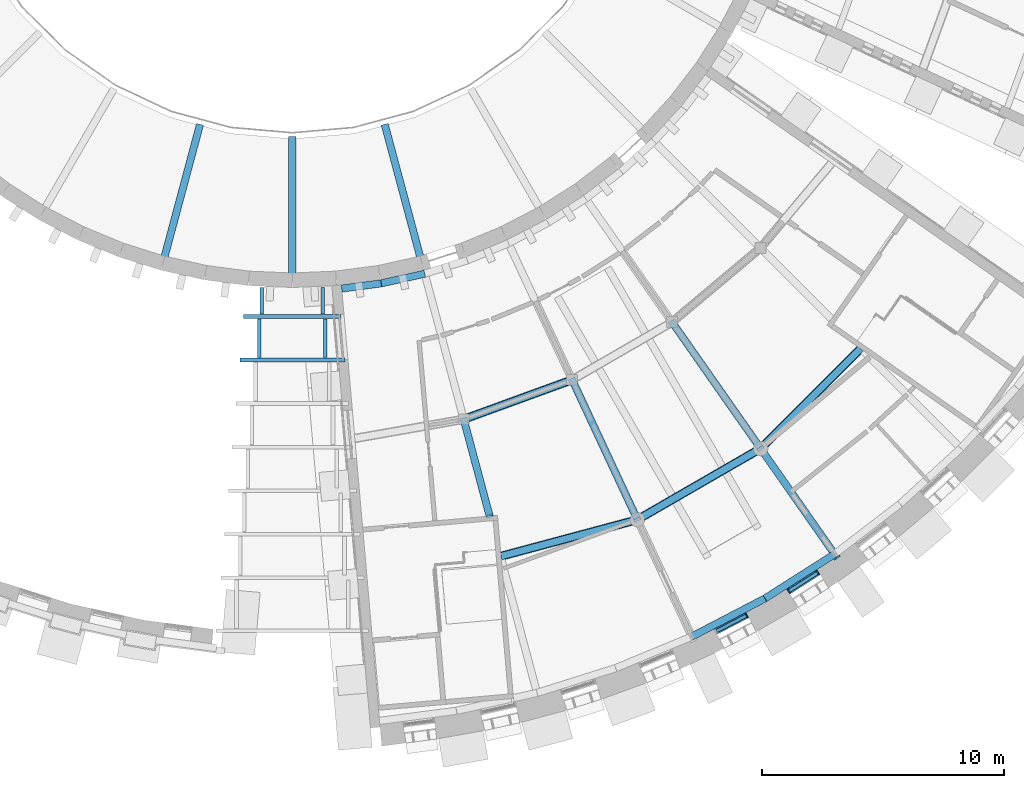
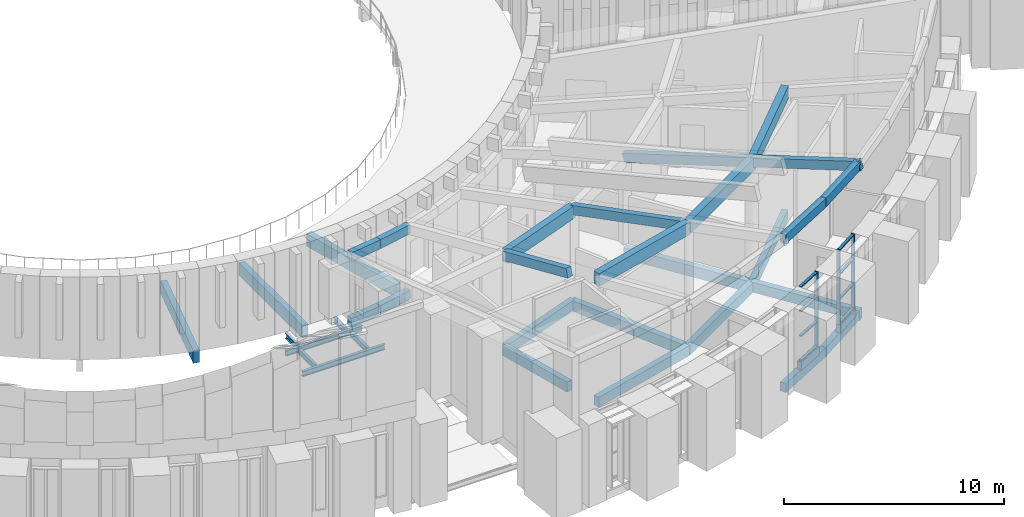
# One storey, part 3 of 50: 35 beams, 11 members, 2 elements without a shape of their own.
"""IFC4 building model written with IfcOpenShell, lengths in metres."""

from ifc_helpers import new_model, si_unit, direction, frame, origin, origin_2d, place, context, subcontext, project, spatial, rectangle, i_section, extrude, material, layer, layer_set, material_profile, profile_set, type_object, element, aggregate, save


model = new_model("IFC4")

# Units and contexts
model_context = context("Model", 3, precision=1e-05, world=origin(), true_north=direction((0.0, 1.0)))
body_context = subcontext(model_context, "Body", "Model", "MODEL_VIEW")
ifc_project = project(units=[si_unit("LENGTHUNIT", "METRE"), si_unit("AREAUNIT", "SQUARE_METRE"), si_unit("VOLUMEUNIT", "CUBIC_METRE"), si_unit("PLANEANGLEUNIT", "RADIAN"), si_unit("MASSUNIT", "GRAM", prefix="KILO")], contexts=[model_context])

# Site, building, storey
site_placement = place(None, origin())
site = spatial("IfcSite", under=ifc_project, at=site_placement, CompositionType="ELEMENT")
building_placement = place(site_placement, origin())
building = spatial("IfcBuilding", under=site, at=building_placement, Name="Volute Hill Aquarium", CompositionType="ELEMENT")
storey_placement = place(building_placement, frame((0.0, 0.0, 9.199951171875)))
storey = spatial("IfcBuildingStorey", under=building, at=storey_placement, Name="L03", CompositionType="ELEMENT", Elevation=9.199951171875)

# Beams
ifc_material_1 = material(Name="Concrete C35/45", Category="concrete")
ifc_material_profile_1 = material_profile(ifc_material_1, rectangle(XDim=0.300048828125, YDim=0.550048828125, at=origin_2d()), Name="RC beam 300x550")
ifc_profile_set_1 = profile_set([ifc_material_profile_1], Name="Concrete C35/45")
beam_type_1 = type_object("IfcBeamType", Name="Beam 300x550 C35/45", PredefinedType="BEAM", material=ifc_profile_set_1)
beam_1_placement = place(storey_placement, frame((7.08740234375, -26.4501953125, -0.544921875), z_axis=(0.258824393831, -0.965924393086, 0.0), x_axis=(0.965924393086, 0.258824393831, 0.0)))
element("IfcBeam", 1, at=beam_1_placement, inside=storey, type_object=beam_type_1, Name="bm/S3/L03/rad1.2", PredefinedType="BEAM", context=body_context, shape_type="SweptSolid", body=[
    extrude(rectangle(XDim=0.300048828125, YDim=0.550048828125, at=origin_2d()), origin(), (0.0, 0.0, 1.0), 4.145751953125),
])
beam_2_placement = place(storey_placement, frame((19.367919921875, -27.66015625, -0.544921875), z_axis=(0.573584859356, -0.819146146373, 0.0), x_axis=(0.819146146373, 0.573584859356, 0.0)))
element("IfcBeam", 2, at=beam_2_placement, inside=storey, type_object=beam_type_1, Name="bm/S3/L03/rad3.9", PredefinedType="BEAM", context=body_context, shape_type="SweptSolid", body=[
    extrude(rectangle(XDim=0.300048828125, YDim=0.550048828125, at=origin_2d()), origin(), (0.0, 0.0, 1.0), 5.483154296875),
])
beam_3_placement = place(storey_placement, frame((7.08740234375, -26.4501953125, -0.544921875), z_axis=(0.93969033816, 0.342026414722, 0.0), x_axis=(-0.342026414722, 0.93969033816, 0.0)))
element("IfcBeam", 3, at=beam_3_placement, inside=storey, type_object=beam_type_1, Name="bm/S3/L03/ring1.14", PredefinedType="BEAM", context=body_context, shape_type="SweptSolid", body=[
    extrude(rectangle(XDim=0.300048828125, YDim=0.550048828125, at=origin_2d()), origin(), (0.0, 0.0, 1.0), 4.773193359375),
])
beam_4_placement = place(storey_placement, frame((8.631591796875, -32.114013671875, -0.544921875), z_axis=(0.965923970462, 0.258825971043, 0.0), x_axis=(-0.258825971043, 0.965923970462, 0.0)))
element("IfcBeam", 4, at=beam_4_placement, inside=storey, type_object=beam_type_1, Name="bm/S3/L03/ring2.18", PredefinedType="BEAM", context=body_context, shape_type="SweptSolid", body=[
    extrude(rectangle(XDim=0.300048828125, YDim=0.550048828125, at=origin_2d()), origin(), (0.0, 0.0, 1.0), 5.837890625),
])
beam_5_placement = place(storey_placement, frame((14.2705078125, -30.60302734375, -0.544921875), z_axis=(0.866034317068, 0.499984561422, 0.0), x_axis=(-0.499984561422, 0.866034317068, 0.0)))
element("IfcBeam", 5, at=beam_5_placement, inside=storey, type_object=beam_type_1, Name="bm/S3/L03/ring2.19", PredefinedType="BEAM", context=body_context, shape_type="SweptSolid", body=[
    extrude(rectangle(XDim=0.300048828125, YDim=0.550048828125, at=origin_2d()), origin(), (0.0, 0.0, 1.0), 5.885986328125),
])
beam_6_placement = place(storey_placement, frame((19.367919921875, -27.66015625, -0.544921875), z_axis=(0.707085869838, 0.707127691916, 0.0), x_axis=(-0.707127691916, 0.707085869838, 0.0)))
element("IfcBeam", 6, at=beam_6_placement, inside=storey, type_object=beam_type_1, Name="bm/S3/L03/ring2.20", PredefinedType="BEAM", context=body_context, shape_type="SweptSolid", body=[
    extrude(rectangle(XDim=0.300048828125, YDim=0.550048828125, at=origin_2d()), origin(), (0.0, 0.0, 1.0), 5.837646484375),
])
ifc_material_2 = material(Name="Concrete C35/45", Category="concrete")
ifc_material_profile_2 = material_profile(ifc_material_2, rectangle(XDim=0.300048828125, YDim=0.60009765625, at=origin_2d()), Name="RC beam 300x600")
ifc_profile_set_2 = profile_set([ifc_material_profile_2], Name="Concrete C35/45")
beam_type_2 = type_object("IfcBeamType", Name="Beam 300x600 C35/45", PredefinedType="BEAM", material=ifc_profile_set_2)
for number, where, z_axis, x_axis, name in (
    (7, (11.57275390625, -24.817626953125, -0.570068359375), (0.422615353503, -0.906309143164, 0.0), (0.906309143164, 0.422615353503, 0.0), "bm/S3/L03/rad2.5"),
    (8, (15.706298828125, -22.43115234375, -0.570068359375), (0.573600942784, -0.819134884154, 0.0), (0.819134884154, 0.573600942784, 0.0), "bm/S3/L03/rad3.8"),
):
    element("IfcBeam", number, at=place(storey_placement, frame(where, z_axis=z_axis, x_axis=x_axis)), inside=storey, type_object=beam_type_2, Name=name, PredefinedType="BEAM", context=body_context, shape_type="SweptSolid", body=[
        extrude(rectangle(XDim=0.300048828125, YDim=0.60009765625, at=origin_2d()), origin(), (0.0, 0.0, 1.0), 6.383544921875),
    ])
ifc_material_3 = material(Name="Concrete C35/45", Category="concrete")
ifc_material_profile_3 = material_profile(ifc_material_3, rectangle(XDim=0.35009765625, YDim=0.699951171875, at=origin_2d()), Name="RC beam 350x700")
ifc_profile_set_3 = profile_set([ifc_material_profile_3], Name="Concrete C35/45")
beam_type_3 = type_object("IfcBeamType", Name="Beam 350x700 C35/45", PredefinedType="BEAM", material=ifc_profile_set_3)
beam_7_placement = place(storey_placement, frame((7.08740234375, -26.4501953125, 4.6328125), z_axis=(0.93969033816, 0.342026414722, 0.0), x_axis=(-0.342026414722, 0.93969033816, 0.0)))
element("IfcBeam", 9, at=beam_7_placement, inside=storey, type_object=beam_type_3, Name="rb/S3/L03/ring1.14", PredefinedType="BEAM", context=body_context, shape_type="SweptSolid", body=[
    extrude(rectangle(XDim=0.35009765625, YDim=0.699951171875, at=origin_2d()), origin(), (0.0, 0.0, 1.0), 4.773193359375),
])
beam_8_placement = place(storey_placement, frame((8.631591796875, -32.114013671875, 6.27392578125), z_axis=(0.965923970462, 0.258825971043, 0.0), x_axis=(-0.258825971043, 0.965923970462, 0.0)))
element("IfcBeam", 10, at=beam_8_placement, inside=storey, type_object=beam_type_3, Name="rb/S3/L03/ring2.18", PredefinedType="BEAM", context=body_context, shape_type="SweptSolid", body=[
    extrude(rectangle(XDim=0.35009765625, YDim=0.699951171875, at=origin_2d()), origin(), (0.0, 0.0, 1.0), 5.837890625),
])
beam_9_placement = place(storey_placement, frame((14.2705078125, -30.60302734375, 6.27392578125), z_axis=(0.866034317068, 0.499984561422, 0.0), x_axis=(-0.499984561422, 0.866034317068, 0.0)))
element("IfcBeam", 11, at=beam_9_placement, inside=storey, type_object=beam_type_3, Name="rb/S3/L03/ring2.19", PredefinedType="BEAM", context=body_context, shape_type="SweptSolid", body=[
    extrude(rectangle(XDim=0.35009765625, YDim=0.699951171875, at=origin_2d()), origin(), (0.0, 0.0, 1.0), 5.885986328125),
])
beam_10_placement = place(storey_placement, frame((19.367919921875, -27.66015625, 6.27392578125), z_axis=(0.707085869838, 0.707127691916, 0.0), x_axis=(-0.707127691916, 0.707085869838, 0.0)))
element("IfcBeam", 12, at=beam_10_placement, inside=storey, type_object=beam_type_3, Name="rb/S3/L03/ring2.20", PredefinedType="BEAM", context=body_context, shape_type="SweptSolid", body=[
    extrude(rectangle(XDim=0.35009765625, YDim=0.699951171875, at=origin_2d()), origin(), (0.0, 0.0, 1.0), 5.837646484375),
])

# Curtain wall, member
ifc_material_4 = material(Name="Aluminium", Category="aluminium")
ifc_layer = layer(ifc_material_4, 0.25)
ifc_layer_set = layer_set([ifc_layer], Name="Curtain wall niche S3 module 1489")
curtain_wall_type = type_object("IfcCurtainWallType", Name="Curtain wall niche S3 module 1489", PredefinedType="NOTDEFINED", material=ifc_layer_set)
curtain_wall_1_placement = place(storey_placement, origin())
curtain_wall_1 = element("IfcCurtainWall", 13, at=curtain_wall_1_placement, inside=storey, type_object=curtain_wall_type, Name="Curtain wall CW S3 L03 5", PredefinedType="NOTDEFINED")
ifc_material_5 = material(Name="Aluminium", Category="aluminium")
ifc_material_profile_4 = material_profile(ifc_material_5, rectangle(XDim=0.179931640625, YDim=0.06005859375, at=origin_2d()), Name="Curtain wall mullion S3 60x180")
ifc_profile_set_4 = profile_set([ifc_material_profile_4], Name="Aluminium")
member_type_1 = type_object("IfcMemberType", Name="Curtain wall mullion S3 60x180", PredefinedType="MULLION", material=ifc_profile_set_4)
member_1_placement = place(storey_placement, frame((18.797607421875, -34.5625, 0.449951171875), z_axis=(0.0, 0.0, 1.0), x_axis=(-0.461744254001, 0.887013102438, 0.0)))
member_1 = element("IfcMember", 14, at=member_1_placement, type_object=member_type_1, Name="CW mullion 2", PredefinedType="MULLION", context=body_context, shape_type="SweptSolid", body=[
    extrude(rectangle(XDim=0.179931640625, YDim=0.06005859375, at=origin_2d()), origin(), (0.0, 0.0, 1.0), 4.150146484375),
])

# Curtain wall, members
curtain_wall_2_placement = place(storey_placement, origin())
curtain_wall_2 = element("IfcCurtainWall", 15, at=curtain_wall_2_placement, inside=storey, type_object=curtain_wall_type, Name="Curtain wall CW S3 L03 6", PredefinedType="NOTDEFINED")
member_2_placement = place(storey_placement, frame((20.533203125, -33.560546875, 0.449951171875), z_axis=(0.0, 0.0, 1.0), x_axis=(-0.53730730935, 0.843386539683, 0.0)))
member_2 = element("IfcMember", 16, at=member_2_placement, type_object=member_type_1, Name="CW mullion 1", PredefinedType="MULLION", context=body_context, shape_type="SweptSolid", body=[
    extrude(rectangle(XDim=0.179931640625, YDim=0.06005859375, at=origin_2d()), origin(), (0.0, 0.0, 1.0), 4.150146484375),
])
member_3_placement = place(storey_placement, frame((21.738525390625, -32.792724609375, 0.449951171875), z_axis=(0.0, 0.0, 1.0), x_axis=(-0.53730730935, 0.843386539683, 0.0)))
member_3 = element("IfcMember", 17, at=member_3_placement, type_object=member_type_1, Name="CW mullion 2", PredefinedType="MULLION", context=body_context, shape_type="SweptSolid", body=[
    extrude(rectangle(XDim=0.179931640625, YDim=0.06005859375, at=origin_2d()), origin(), (0.0, 0.0, 1.0), 4.150146484375),
])

# Member
ifc_material_6 = material(Name="Aluminium", Category="aluminium")
ifc_material_profile_5 = material_profile(ifc_material_6, rectangle(XDim=0.139892578125, YDim=0.06005859375, at=origin_2d()), Name="Curtain wall transom S3 60x140")
ifc_profile_set_5 = profile_set([ifc_material_profile_5], Name="Aluminium")
member_type_2 = type_object("IfcMemberType", Name="Curtain wall transom S3 60x140", PredefinedType="USERDEFINED", material=ifc_profile_set_5)
member_4_placement = place(storey_placement, frame((17.556640625, -35.208740234375, 0.47998046875), z_axis=(0.886959740266, 0.46184674855, 0.0), x_axis=(-0.46184674855, 0.886959740266, 0.0)))
member_4 = element("IfcMember", 18, at=member_4_placement, type_object=member_type_2, Name="CW transom 1.1", ObjectType="TRANSOM", PredefinedType="USERDEFINED", context=body_context, shape_type="SweptSolid", body=[
    extrude(rectangle(XDim=0.139892578125, YDim=0.06005859375, at=origin_2d()), origin(), (0.0, 0.0, 1.0), 1.369140625),
])

member_5_placement = place(storey_placement, frame((17.556640625, -35.208740234375, 1.83349609375), z_axis=(0.886959740266, 0.46184674855, 0.0), x_axis=(-0.46184674855, 0.886959740266, 0.0)))
member_5 = element("IfcMember", 19, at=member_5_placement, type_object=member_type_2, Name="CW transom 1.2", ObjectType="TRANSOM", PredefinedType="USERDEFINED", context=body_context, shape_type="SweptSolid", body=[
    extrude(rectangle(XDim=0.139892578125, YDim=0.06005859375, at=origin_2d()), origin(), (0.0, 0.0, 1.0), 1.369140625),
])

member_6_placement = place(storey_placement, frame((17.556640625, -35.208740234375, 3.216796875), z_axis=(0.886959740266, 0.46184674855, 0.0), x_axis=(-0.46184674855, 0.886959740266, 0.0)))
member_6 = element("IfcMember", 20, at=member_6_placement, type_object=member_type_2, Name="CW transom 1.3", ObjectType="TRANSOM", PredefinedType="USERDEFINED", context=body_context, shape_type="SweptSolid", body=[
    extrude(rectangle(XDim=0.139892578125, YDim=0.06005859375, at=origin_2d()), origin(), (0.0, 0.0, 1.0), 1.369140625),
])

member_7_placement = place(storey_placement, frame((17.556640625, -35.208740234375, 4.570068359375), z_axis=(0.886959740266, 0.46184674855, 0.0), x_axis=(-0.46184674855, 0.886959740266, 0.0)))
member_7 = element("IfcMember", 21, at=member_7_placement, type_object=member_type_2, Name="CW transom 1.4", ObjectType="TRANSOM", PredefinedType="USERDEFINED", context=body_context, shape_type="SweptSolid", body=[
    extrude(rectangle(XDim=0.139892578125, YDim=0.06005859375, at=origin_2d()), origin(), (0.0, 0.0, 1.0), 1.369140625),
])

aggregate(curtain_wall_1, [member_1, member_4, member_5, member_6, member_7])

member_8_placement = place(storey_placement, frame((20.558349609375, -33.54443359375, 0.47998046875), z_axis=(0.843419106312, 0.537256187594, 0.0), x_axis=(-0.537256187594, 0.843419106312, 0.0)))
member_8 = element("IfcMember", 22, at=member_8_placement, type_object=member_type_2, Name="CW transom 1.1", ObjectType="TRANSOM", PredefinedType="USERDEFINED", context=body_context, shape_type="SweptSolid", body=[
    extrude(rectangle(XDim=0.139892578125, YDim=0.06005859375, at=origin_2d()), origin(), (0.0, 0.0, 1.0), 1.369140625),
])

member_9_placement = place(storey_placement, frame((20.558349609375, -33.54443359375, 1.83349609375), z_axis=(0.843419106312, 0.537256187594, 0.0), x_axis=(-0.537256187594, 0.843419106312, 0.0)))
member_9 = element("IfcMember", 23, at=member_9_placement, type_object=member_type_2, Name="CW transom 1.2", ObjectType="TRANSOM", PredefinedType="USERDEFINED", context=body_context, shape_type="SweptSolid", body=[
    extrude(rectangle(XDim=0.139892578125, YDim=0.06005859375, at=origin_2d()), origin(), (0.0, 0.0, 1.0), 1.369140625),
])

member_10_placement = place(storey_placement, frame((20.558349609375, -33.54443359375, 3.216796875), z_axis=(0.843419106312, 0.537256187594, 0.0), x_axis=(-0.537256187594, 0.843419106312, 0.0)))
member_10 = element("IfcMember", 24, at=member_10_placement, type_object=member_type_2, Name="CW transom 1.3", ObjectType="TRANSOM", PredefinedType="USERDEFINED", context=body_context, shape_type="SweptSolid", body=[
    extrude(rectangle(XDim=0.139892578125, YDim=0.06005859375, at=origin_2d()), origin(), (0.0, 0.0, 1.0), 1.369140625),
])

member_11_placement = place(storey_placement, frame((20.558349609375, -33.54443359375, 4.570068359375), z_axis=(0.843419106312, 0.537256187594, 0.0), x_axis=(-0.537256187594, 0.843419106312, 0.0)))
member_11 = element("IfcMember", 25, at=member_11_placement, type_object=member_type_2, Name="CW transom 1.4", ObjectType="TRANSOM", PredefinedType="USERDEFINED", context=body_context, shape_type="SweptSolid", body=[
    extrude(rectangle(XDim=0.139892578125, YDim=0.06005859375, at=origin_2d()), origin(), (0.0, 0.0, 1.0), 1.369140625),
])

aggregate(curtain_wall_2, [member_2, member_3, member_8, member_9, member_10, member_11])

# Beams
ifc_material_7 = material(Name="Concrete C35/45", Category="concrete")
ifc_material_profile_6 = material_profile(ifc_material_7, rectangle(XDim=0.300048828125, YDim=0.5, at=origin_2d()), Name="RC edge beam 300x500")
ifc_profile_set_6 = profile_set([ifc_material_profile_6], Name="Concrete C35/45")
beam_type_4 = type_object("IfcBeamType", Name="Edge beam 300x500 C35/45", PredefinedType="BEAM", material=ifc_profile_set_6)
beam_11_placement = place(storey_placement, frame((2.041748046875, -21.043701171875, -0.52001953125), z_axis=(0.99143407694, 0.130608081992, 0.0), x_axis=(-0.130608081992, 0.99143407694, 0.0)))
element("IfcBeam", 26, at=beam_11_placement, inside=storey, type_object=beam_type_4, Name="bm/S3/L03/edgeD.21", PredefinedType="BEAM", context=body_context, shape_type="SweptSolid", body=[
    extrude(rectangle(XDim=0.300048828125, YDim=0.5, at=origin_2d()), origin(), (0.0, 0.0, 1.0), 1.64501953125),
])
beam_12_placement = place(storey_placement, frame((3.672607421875, -20.828857421875, -0.52001953125), z_axis=(0.976292789523, 0.216454127071, 0.0), x_axis=(-0.216454127071, 0.976292789523, 0.0)))
element("IfcBeam", 27, at=beam_12_placement, inside=storey, type_object=beam_type_4, Name="bm/S3/L03/edgeD.22", PredefinedType="BEAM", context=body_context, shape_type="SweptSolid", body=[
    extrude(rectangle(XDim=0.300048828125, YDim=0.5, at=origin_2d()), origin(), (0.0, 0.0, 1.0), 1.84521484375),
])
beam_13_placement = place(storey_placement, frame((16.5244140625, -35.4365234375, -0.52001953125), z_axis=(0.887006930768, 0.461756109618, 0.0), x_axis=(-0.461756109618, 0.887006930768, 0.0)))
element("IfcBeam", 28, at=beam_13_placement, inside=storey, type_object=beam_type_4, Name="bm/S3/L03/edgeO.36", PredefinedType="BEAM", context=body_context, shape_type="SweptSolid", body=[
    extrude(rectangle(XDim=0.300048828125, YDim=0.5, at=origin_2d()), origin(), (0.0, 0.0, 1.0), 3.410888671875),
])
beam_14_placement = place(storey_placement, frame((19.5498046875, -33.861572265625, -0.52001953125), z_axis=(0.843399098385, 0.537287596026, 0.0), x_axis=(-0.537287596026, 0.843399098385, 0.0)))
element("IfcBeam", 29, at=beam_14_placement, inside=storey, type_object=beam_type_4, Name="bm/S3/L03/edgeO.37", PredefinedType="BEAM", context=body_context, shape_type="SweptSolid", body=[
    extrude(rectangle(XDim=0.300048828125, YDim=0.5, at=origin_2d()), origin(), (0.0, 0.0, 1.0), 3.4111328125),
])
beam_15_placement = place(storey_placement, frame((2.041748046875, -21.043701171875, 3.1328125), z_axis=(0.991371011076, 0.130599773914, 0.011279071384), x_axis=(-0.130608081992, 0.99143407694, 0.0)))
element("IfcBeam", 30, at=beam_15_placement, inside=storey, type_object=beam_type_4, Name="rb/S3/L03/edgeD.21", PredefinedType="BEAM", context=body_context, shape_type="SweptSolid", body=[
    extrude(rectangle(XDim=0.300048828125, YDim=0.5, at=origin_2d()), origin(), (0.0, 0.0, 1.0), 1.64501953125),
])
beam_16_placement = place(storey_placement, frame((3.672607421875, -20.828857421875, 3.1513671875), z_axis=(0.976229596378, 0.216440116503, -0.011377658936), x_axis=(-0.216454127071, 0.976292789523, 0.0)))
element("IfcBeam", 31, at=beam_16_placement, inside=storey, type_object=beam_type_4, Name="rb/S3/L03/edgeD.22", PredefinedType="BEAM", context=body_context, shape_type="SweptSolid", body=[
    extrude(rectangle(XDim=0.300048828125, YDim=0.5, at=origin_2d()), origin(), (0.0, 0.0, 1.0), 1.845458984375),
])
beam_17_placement = place(storey_placement, frame((16.5244140625, -35.4365234375, 7.7451171875), z_axis=(0.886950925819, 0.461726954685, 0.011237192976), x_axis=(-0.461756109618, 0.887006930768, 0.0)))
element("IfcBeam", 32, at=beam_17_placement, inside=storey, type_object=beam_type_4, Name="rb/S3/L03/edgeO.36", PredefinedType="BEAM", context=body_context, shape_type="SweptSolid", body=[
    extrude(rectangle(XDim=0.300048828125, YDim=0.5, at=origin_2d()), origin(), (0.0, 0.0, 1.0), 3.410888671875),
])
beam_18_placement = place(storey_placement, frame((19.5498046875, -33.861572265625, 7.783447265625), z_axis=(0.843345857886, 0.537253679154, -0.011236023395), x_axis=(-0.537287596026, 0.843399098385, 0.0)))
element("IfcBeam", 33, at=beam_18_placement, inside=storey, type_object=beam_type_4, Name="rb/S3/L03/edgeO.37", PredefinedType="BEAM", context=body_context, shape_type="SweptSolid", body=[
    extrude(rectangle(XDim=0.300048828125, YDim=0.5, at=origin_2d()), origin(), (0.0, 0.0, 1.0), 3.411376953125),
])
ifc_material_8 = material(Name="Concrete C35/45", Category="concrete")
ifc_material_profile_7 = material_profile(ifc_material_8, rectangle(XDim=0.300048828125, YDim=0.699951171875, at=origin_2d()), Name="RC beam 300x700")
ifc_profile_set_7 = profile_set([ifc_material_profile_7], Name="Concrete C35/45")
beam_type_5 = type_object("IfcBeamType", Name="Gallery beam RC 300x700", PredefinedType="BEAM", material=ifc_profile_set_7)
beam_19_placement = place(storey_placement, frame((-3.817626953125, -14.247314453125, -0.64990234375), z_axis=(-0.258825219825, -0.965924171756, 0.0), x_axis=(0.965924171756, -0.258825219825, 0.0)))
element("IfcBeam", 34, at=beam_19_placement, inside=storey, type_object=beam_type_5, Name="bm/DR/L03/17", PredefinedType="BEAM", context=body_context, shape_type="SweptSolid", body=[
    extrude(rectangle(XDim=0.300048828125, YDim=0.699951171875, at=origin_2d()), origin(), (0.0, 0.0, 1.0), 5.750244140625),
])
beam_20_placement = place(storey_placement, frame((0.0, -14.75, -0.64990234375), z_axis=(0.0, -1.0, 0.0), x_axis=(1.0, 0.0, 0.0)))
element("IfcBeam", 35, at=beam_20_placement, inside=storey, type_object=beam_type_5, Name="bm/DR/L03/18", PredefinedType="BEAM", context=body_context, shape_type="SweptSolid", body=[
    extrude(rectangle(XDim=0.300048828125, YDim=0.699951171875, at=origin_2d()), origin(), (0.0, 0.0, 1.0), 5.75),
])
beam_21_placement = place(storey_placement, frame((3.817626953125, -14.247314453125, -0.64990234375), z_axis=(0.258825219825, -0.965924171756, 0.0), x_axis=(0.965924171756, 0.258825219825, 0.0)))
element("IfcBeam", 36, at=beam_21_placement, inside=storey, type_object=beam_type_5, Name="bm/DR/L03/19", PredefinedType="BEAM", context=body_context, shape_type="SweptSolid", body=[
    extrude(rectangle(XDim=0.300048828125, YDim=0.699951171875, at=origin_2d()), origin(), (0.0, 0.0, 1.0), 5.750244140625),
])
ifc_material_9 = material(Name="Concrete C35/45", Category="concrete")
ifc_material_profile_8 = material_profile(ifc_material_9, rectangle(XDim=0.25, YDim=0.449951171875, at=origin_2d()), Name="RC beam 250x450")
ifc_profile_set_8 = profile_set([ifc_material_profile_8], Name="Concrete C35/45")
beam_type_6 = type_object("IfcBeamType", Name="Niche sill beam RC 250x450 C35/45", PredefinedType="BEAM", material=ifc_profile_set_8)
beam_22_placement = place(storey_placement, frame((17.50341796875, -35.236328125, 0.22509765625), z_axis=(0.88702881268, 0.461714073291, 0.0), x_axis=(-0.461714073291, 0.88702881268, 0.0)))
element("IfcBeam", 37, at=beam_22_placement, inside=storey, type_object=beam_type_6, Name="Niche sill beam OWB S3 L03 5", PredefinedType="BEAM", context=body_context, shape_type="SweptSolid", body=[
    extrude(rectangle(XDim=0.25, YDim=0.449951171875, at=origin_2d()), origin(), (0.0, 0.0, 1.0), 1.489013671875),
])
beam_23_placement = place(storey_placement, frame((20.5078125, -33.57666015625, 0.22509765625), z_axis=(0.843445411017, 0.537214890555, 0.0), x_axis=(-0.537214890555, 0.843445411017, 0.0)))
element("IfcBeam", 38, at=beam_23_placement, inside=storey, type_object=beam_type_6, Name="Niche sill beam OWB S3 L03 6", PredefinedType="BEAM", context=body_context, shape_type="SweptSolid", body=[
    extrude(rectangle(XDim=0.25, YDim=0.449951171875, at=origin_2d()), origin(), (0.0, 0.0, 1.0), 1.4892578125),
])
ifc_material_10 = material(Name="Steel S355", Category="steel")
ifc_material_profile_9 = material_profile(ifc_material_10, i_section(OverallWidth=0.14990234375, OverallDepth=0.300048828125, WebThickness=0.007080078125, FlangeThickness=0.0107421875, FilletRadius=0.014892578125, at=origin_2d()), Name="IPE 300")
ifc_profile_set_9 = profile_set([ifc_material_profile_9], Name="Steel S355")
beam_type_7 = type_object("IfcBeamType", Name="Passage roof beam IPE 300", PredefinedType="BEAM", material=ifc_profile_set_9)
beam_24_placement = place(storey_placement, frame((-2.0166015625, -22.199951171875, -0.14990234375), z_axis=(1.0, 0.0, 0.0), x_axis=(0.0, 1.0, 0.0)))
element("IfcBeam", 39, at=beam_24_placement, inside=storey, type_object=beam_type_7, Name="ps/SC3/L03/b0", PredefinedType="BEAM", context=body_context, shape_type="SweptSolid", body=[
    extrude(i_section(OverallWidth=0.14990234375, OverallDepth=0.300048828125, WebThickness=0.007080078125, FlangeThickness=0.0107421875, FilletRadius=0.014892578125, at=origin_2d()), origin(), (0.0, 0.0, 1.0), 4.033203125),
])
beam_25_placement = place(storey_placement, frame((-2.174072265625, -24.0, -0.14990234375), z_axis=(1.0, 0.0, 0.0), x_axis=(0.0, 1.0, 0.0)))
element("IfcBeam", 40, at=beam_25_placement, inside=storey, type_object=beam_type_7, Name="ps/SC3/L03/b1", PredefinedType="BEAM", context=body_context, shape_type="SweptSolid", body=[
    extrude(i_section(OverallWidth=0.14990234375, OverallDepth=0.300048828125, WebThickness=0.007080078125, FlangeThickness=0.0107421875, FilletRadius=0.014892578125, at=origin_2d()), origin(), (0.0, 0.0, 1.0), 4.34814453125),
])
for number, where, z_axis, x_axis, name in (
    (41, (-1.260986328125, -21.0, -0.14990234375), (0.0, -1.0, 0.0), (1.0, 0.0, 0.0), "ps/SC3/L03/e0.0"),
    (42, (1.260986328125, -21.0, -0.14990234375), (0.0, -1.0, 0.0), (1.0, 0.0, 0.0), "ps/SC3/L03/e0.1"),
):
    element("IfcBeam", number, at=place(storey_placement, frame(where, z_axis=z_axis, x_axis=x_axis)), inside=storey, type_object=beam_type_7, Name=name, PredefinedType="BEAM", context=body_context, shape_type="SweptSolid", body=[
        extrude(i_section(OverallWidth=0.14990234375, OverallDepth=0.300048828125, WebThickness=0.007080078125, FlangeThickness=0.0107421875, FilletRadius=0.014892578125, at=origin_2d()), origin(), (0.0, 0.0, 1.0), 1.10009765625),
    ])
for number, where, z_axis, x_axis, name in (
    (43, (-1.365966796875, -22.300048828125, -0.14990234375), (0.0, -1.0, 0.0), (1.0, 0.0, 0.0), "ps/SC3/L03/e1.0"),
    (44, (1.365966796875, -22.300048828125, -0.14990234375), (0.0, -1.0, 0.0), (1.0, 0.0, 0.0), "ps/SC3/L03/e1.1"),
):
    element("IfcBeam", number, at=place(storey_placement, frame(where, z_axis=z_axis, x_axis=x_axis)), inside=storey, type_object=beam_type_7, Name=name, PredefinedType="BEAM", context=body_context, shape_type="SweptSolid", body=[
        extrude(i_section(OverallWidth=0.14990234375, OverallDepth=0.300048828125, WebThickness=0.007080078125, FlangeThickness=0.0107421875, FilletRadius=0.014892578125, at=origin_2d()), origin(), (0.0, 0.0, 1.0), 1.599853515625),
    ])
ifc_material_11 = material(Name="Concrete C35/45", Category="concrete")
ifc_material_profile_10 = material_profile(ifc_material_11, rectangle(XDim=0.300048828125, YDim=0.5, at=origin_2d()), Name="RC rib 300x500")
ifc_profile_set_10 = profile_set([ifc_material_profile_10], Name="Concrete C35/45")
beam_type_8 = type_object("IfcBeamType", Name="Roof rib 300x500 C35/45", PredefinedType="BEAM", material=ifc_profile_set_10)
beam_26_placement = place(storey_placement, frame((7.08740234375, -26.4501953125, 4.724853515625), z_axis=(0.250674745672, -0.935510165761, 0.248963655258), x_axis=(0.965924393086, 0.258824393831, 0.0)))
element("IfcBeam", 45, at=beam_26_placement, inside=storey, type_object=beam_type_8, Name="rb/S3/L03/rib1.2", PredefinedType="BEAM", context=body_context, shape_type="SweptSolid", body=[
    extrude(rectangle(XDim=0.300048828125, YDim=0.5, at=origin_2d()), origin(), (0.0, 0.0, 1.0), 4.280517578125),
])
for number, where, z_axis, x_axis, name in (
    (46, (11.57275390625, -24.817626953125, 4.724853515625), (0.40930541596, -0.877765650861, 0.248991041275), (0.906309143164, 0.422615353503, 0.0), "rb/S3/L03/rib2.5"),
    (47, (15.706298828125, -22.43115234375, 4.724853515625), (0.555536347406, -0.793337610931, 0.248987553491), (0.819134884154, 0.573600942784, 0.0), "rb/S3/L03/rib3.8"),
):
    element("IfcBeam", number, at=place(storey_placement, frame(where, z_axis=z_axis, x_axis=x_axis)), inside=storey, type_object=beam_type_8, Name=name, PredefinedType="BEAM", context=body_context, shape_type="SweptSolid", body=[
        extrude(rectangle(XDim=0.300048828125, YDim=0.5, at=origin_2d()), origin(), (0.0, 0.0, 1.0), 6.591064453125),
    ])
beam_27_placement = place(storey_placement, frame((19.367919921875, -27.66015625, 6.365966796875), z_axis=(0.555525454446, -0.793355207689, 0.24895578703), x_axis=(0.819146146373, 0.573584859356, 0.0)))
element("IfcBeam", 48, at=beam_27_placement, inside=storey, type_object=beam_type_8, Name="rb/S3/L03/rib3.9", PredefinedType="BEAM", context=body_context, shape_type="SweptSolid", body=[
    extrude(rectangle(XDim=0.300048828125, YDim=0.5, at=origin_2d()), origin(), (0.0, 0.0, 1.0), 5.661376953125),
])

save(model, "model.ifc")
